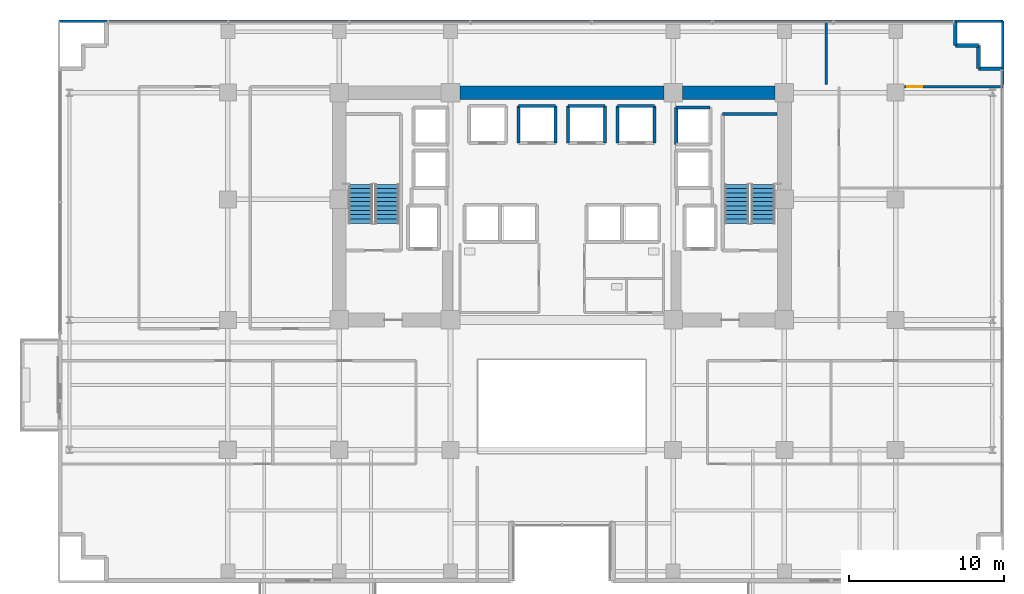
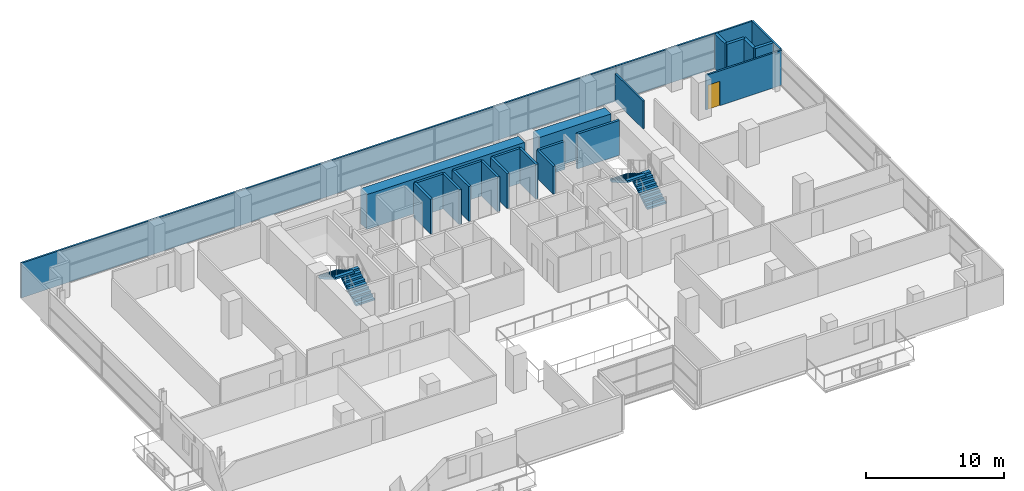
# One storey, part 26 of 30: 23 walls, 4 stair flights, 1 door, 1 opening, 2 elements without a shape of their own.
"""IFC4 building model written with IfcOpenShell, lengths in metres."""

import ifcopenshell
import ifcopenshell.guid

model = None  # the IFC model being written
_history = None  # IfcOwnerHistory: only IFC2X3 demands one
_inside = {}  # id of a spatial element -> (the spatial element, [elements in it])
_under = {}  # id of a project, library or spatial element -> (it, [spatial elements below it])
_declared = {}  # id of a project -> (the project, [libraries it declares])
_typed = {}  # id of a type object -> (the type object, [elements of that type])
_made_of = {}  # id of a material, layer set ... -> (it, [elements and type objects made of it])


def new_model(schema):
    """Start an empty IFC model of exactly this schema.

    Asked for "IFC4X3", IfcOpenShell would pick the latest addendum, in which some entities
    have other attributes; the version numbers below select the first issue.
    IFC2X3 requires an IfcOwnerHistory on every rooted entity: one is made here for all.
    """
    global model, _history
    if schema == "IFC4X3":
        model = ifcopenshell.file(schema_version=(4, 3, 0, 0))
    else:
        model = ifcopenshell.file(schema=schema)
    _inside.clear()
    _under.clear()
    _declared.clear()
    _typed.clear()
    _made_of.clear()
    _history = None
    if model.schema == "IFC2X3":
        org = make("IfcOrganization", Name="unknown")
        user = make(
            "IfcPersonAndOrganization",
            ThePerson=make("IfcPerson", FamilyName="unknown"),
            TheOrganization=org,
        )
        app = make(
            "IfcApplication",
            ApplicationDeveloper=org,
            Version="unknown",
            ApplicationFullName="unknown",
            ApplicationIdentifier="unknown",
        )
        _history = make(
            "IfcOwnerHistory",
            OwningUser=user,
            OwningApplication=app,
            ChangeAction="ADDED",
            CreationDate=0,
        )
    return model


def make(cls, **values):
    """One entity of the class cls with the attributes given. An attribute that is None is left unset."""
    return model.create_entity(
        cls, **{name: value for name, value in values.items() if value is not None}
    )


def rooted(cls, **values):
    """An entity with a GlobalId (a new one), such as an element, a storey or a relation."""
    return make(cls, GlobalId=ifcopenshell.guid.new(), OwnerHistory=_history, **values)


def si_unit(unit_type, name, prefix=None):
    """IfcSIUnit, for example si_unit("LENGTHUNIT", "METRE", prefix="MILLI")."""
    return make("IfcSIUnit", UnitType=unit_type, Prefix=prefix, Name=name)


def assignment(units):
    """IfcUnitAssignment: the units of a project."""
    return None if units is None else make("IfcUnitAssignment", Units=units)


def point(xyz):
    """IfcCartesianPoint."""
    return None if xyz is None else make("IfcCartesianPoint", Coordinates=xyz)


def direction(xyz):
    """IfcDirection."""
    return None if xyz is None else make("IfcDirection", DirectionRatios=xyz)


def frame(location, z_axis=None, x_axis=None):
    """IfcAxis2Placement3D, a coordinate frame: its origin and axes. An axis left out is left unset."""
    return make(
        "IfcAxis2Placement3D",
        Location=point(location),
        Axis=direction(z_axis),
        RefDirection=direction(x_axis),
    )


def frame_2d(location, x_axis=None):
    """IfcAxis2Placement2D, a coordinate frame in the plane: its origin and x axis."""
    return make(
        "IfcAxis2Placement2D", Location=point(location), RefDirection=direction(x_axis)
    )


def origin():
    """The frame at (0, 0, 0) with its axes left unset."""
    return frame((0.0, 0.0, 0.0))


def place(relative_to, where):
    """IfcLocalPlacement: puts the frame where relative to a parent placement (None: the world)."""
    return make(
        "IfcLocalPlacement", PlacementRelTo=relative_to, RelativePlacement=where
    )


def context(
    kind, dimensions, precision=None, world=None, true_north=None, identifier=None
):
    """IfcGeometricRepresentationContext, for example the 3D "Model" context."""
    return make(
        "IfcGeometricRepresentationContext",
        ContextIdentifier=identifier,
        ContextType=kind,
        CoordinateSpaceDimension=dimensions,
        Precision=precision,
        WorldCoordinateSystem=world,
        TrueNorth=true_north,
    )


def subcontext(parent, identifier, kind, view, scale=None):
    """IfcGeometricRepresentationSubContext, for example "Body" below "Model"."""
    return make(
        "IfcGeometricRepresentationSubContext",
        ContextIdentifier=identifier,
        ContextType=kind,
        ParentContext=parent,
        TargetScale=scale,
        TargetView=view,
    )


def project(units=None, contexts=None):
    """IfcProject with its units and contexts."""
    return rooted(
        "IfcProject",
        Name="project",
        RepresentationContexts=contexts,
        UnitsInContext=assignment(units),
    )


def spatial(cls, under=None, at=None, **own):
    """A site, building, storey or space (cls), placed at a placement, below another one or the project."""
    s = rooted(cls, ObjectPlacement=at, **own)
    if under is not None:
        _under.setdefault(under.id(), (under, []))[1].append(s)
    return s


def polyline(points):
    """IfcPolyline through the points."""
    return make("IfcPolyline", Points=[point(p) for p in points])


def profile(cls, at=None, kind="AREA", **sizes):
    """A parametric profile (cls). Its sizes go by their IFC names, for example OverallWidth=200.0."""
    return make(cls, ProfileType=kind, Position=at, **sizes)


def rectangle(**sizes):
    """IfcRectangleProfileDef."""
    return profile("IfcRectangleProfileDef", **sizes)


def outline(outer, holes=None, kind="AREA"):
    """IfcArbitraryClosedProfileDef: a profile drawn as a closed curve; with holes, ...WithVoids."""
    if holes is None:
        return make("IfcArbitraryClosedProfileDef", ProfileType=kind, OuterCurve=outer)
    return make(
        "IfcArbitraryProfileDefWithVoids",
        ProfileType=kind,
        OuterCurve=outer,
        InnerCurves=holes,
    )


def extrude(swept, where, along, depth):
    """IfcExtrudedAreaSolid: the profile swept, set in the frame where, extruded along a direction by depth."""
    return make(
        "IfcExtrudedAreaSolid",
        SweptArea=swept,
        Position=where,
        ExtrudedDirection=direction(along),
        Depth=depth,
    )


def shape(context_of_items, identifier, shape_type, items):
    """IfcShapeRepresentation: the items that make up one representation, for example the "Body"."""
    return make(
        "IfcShapeRepresentation",
        ContextOfItems=context_of_items,
        RepresentationIdentifier=identifier,
        RepresentationType=shape_type,
        Items=items,
    )


def source(mapping_origin, context_of_items, identifier, shape_type, items):
    """IfcRepresentationMap: a shape defined once, which mapped items show again and again."""
    return make(
        "IfcRepresentationMap",
        MappingOrigin=mapping_origin,
        MappedRepresentation=shape(context_of_items, identifier, shape_type, items),
    )


def transform(
    local_origin,
    x_axis=None,
    y_axis=None,
    z_axis=None,
    scale=None,
    scale2=None,
    scale3=None,
    uniform=True,
):
    """IfcCartesianTransformationOperator3D, or its non-uniform kind. x_axis, y_axis, z_axis: its Axis1, 2, 3."""
    if uniform:
        return make(
            "IfcCartesianTransformationOperator3D",
            Axis1=direction(x_axis),
            Axis2=direction(y_axis),
            LocalOrigin=point(local_origin),
            Scale=scale,
            Axis3=direction(z_axis),
        )
    return make(
        "IfcCartesianTransformationOperator3DnonUniform",
        Axis1=direction(x_axis),
        Axis2=direction(y_axis),
        LocalOrigin=point(local_origin),
        Scale=scale,
        Axis3=direction(z_axis),
        Scale2=scale2,
        Scale3=scale3,
    )


def mapped(mapping_source, mapping_target):
    """IfcMappedItem: shows the shape of a source again, moved by a transform."""
    return make(
        "IfcMappedItem", MappingSource=mapping_source, MappingTarget=mapping_target
    )


def material(Name=None, Category=None):
    """IfcMaterial."""
    return make("IfcMaterial", Name=Name, Category=Category)


def layer(
    of_material, thickness, ventilated=None, Name=None, Category=None, Priority=None
):
    """IfcMaterialLayer: one layer of a wall or slab, of a material (None: an air gap)."""
    return make(
        "IfcMaterialLayer",
        Material=of_material,
        LayerThickness=thickness,
        IsVentilated=ventilated,
        Name=Name,
        Category=Category,
        Priority=Priority,
    )


def layer_set(layers, Name=None):
    """IfcMaterialLayerSet."""
    return make("IfcMaterialLayerSet", MaterialLayers=layers, LayerSetName=Name)


def made_of(thing, what):
    """Note that an element or type object is made of a material, layer set ...; save() writes the relation."""
    if what is not None:
        _made_of.setdefault(what.id(), (what, []))[1].append(thing)
    return thing


def type_object(cls, material=None, **own):
    """A type object (cls), such as IfcWallType, which elements share."""
    return made_of(rooted(cls, **own), material)


def element(
    cls,
    number,
    at=None,
    inside=None,
    cuts=None,
    type_object=None,
    material=None,
    context=None,
    identifier="Body",
    shape_type=None,
    held_by="IfcProductDefinitionShape",
    body=None,
    shapes=None,
    **own,
):
    """One element of the class cls, such as IfcWall. Its Tag is "e" and its number.

    at: its placement. inside: the storey or other place that contains it. cuts: it is an
    opening in that element (IfcRelVoidsElement). A single representation is given by context,
    identifier, shape_type and body (its items); several are given by shapes. held_by: the class
    of the entity that holds the representations. save() writes the other relations.
    """
    e = rooted(cls, Tag="e%d" % number, ObjectPlacement=at, **own)
    if body is not None:
        shapes = [shape(context, identifier, shape_type, body)]
    if shapes is not None:
        e.Representation = make(held_by, Representations=shapes)
    if inside is not None:
        _inside.setdefault(inside.id(), (inside, []))[1].append(e)
    if cuts is not None:
        rooted(
            "IfcRelVoidsElement", RelatingBuildingElement=cuts, RelatedOpeningElement=e
        )
    if type_object is not None:
        _typed.setdefault(type_object.id(), (type_object, []))[1].append(e)
    return made_of(e, material)


def fill(opening, filler):
    """IfcRelFillsElement: the door or window that sits in an opening."""
    return rooted(
        "IfcRelFillsElement",
        RelatingOpeningElement=opening,
        RelatedBuildingElement=filler,
    )


def aggregate(whole, parts):
    """IfcRelAggregates: a whole, such as a stair, and the parts it consists of."""
    return rooted("IfcRelAggregates", RelatingObject=whole, RelatedObjects=parts)


def save(model, path):
    """Write the relations noted so far, then the file.

    IfcRelAggregates (storeys below a building ...), IfcRelContainedInSpatialStructure (elements
    in a storey), IfcRelDefinesByType, IfcRelAssociatesMaterial and IfcRelDeclares: one each for
    every whole, place, type object, material and project.
    """
    for whole, parts in _under.values():
        aggregate(whole, parts)
    for where, things in _inside.values():
        rooted(
            "IfcRelContainedInSpatialStructure",
            RelatedElements=things,
            RelatingStructure=where,
        )
    for kind, things in _typed.values():
        rooted("IfcRelDefinesByType", RelatedObjects=things, RelatingType=kind)
    for what, things in _made_of.values():
        rooted("IfcRelAssociatesMaterial", RelatedObjects=things, RelatingMaterial=what)
    for by, libraries in _declared.values():
        rooted("IfcRelDeclares", RelatingContext=by, RelatedDefinitions=libraries)
    model.write(path)


model = new_model("IFC4")

# Units and contexts
model_context = context("Model", 3, precision=1e-05, world=origin(), true_north=direction((0.0, 1.0)))
body_context = subcontext(model_context, "Body", "Model", "MODEL_VIEW")
ifc_project = project(units=[si_unit("LENGTHUNIT", "METRE"), si_unit("AREAUNIT", "SQUARE_METRE"), si_unit("VOLUMEUNIT", "CUBIC_METRE"), si_unit("PLANEANGLEUNIT", "RADIAN"), si_unit("MASSUNIT", "GRAM", prefix="KILO")], contexts=[model_context])

# Site, building, storey
site_placement = place(None, origin())
site = spatial("IfcSite", under=ifc_project, at=site_placement, CompositionType="ELEMENT")
building_placement = place(site_placement, origin())
building = spatial("IfcBuilding", under=site, at=building_placement, Name="Zarnakvel Exchange Tower", CompositionType="ELEMENT")
storey_placement = place(building_placement, frame((0.0, 0.0, 34.0)))
storey = spatial("IfcBuildingStorey", under=building, at=storey_placement, Name="L08", CompositionType="ELEMENT", Elevation=34.0)

# Walls
ifc_material_1 = material(Name="Concrete C80/95", Category="concrete")
ifc_layer_1 = layer(ifc_material_1, 0.89990234375)
ifc_layer_set_1 = layer_set([ifc_layer_1], Name="Concrete C80/95")
wall_type_1 = type_object("IfcWallType", Name="CW-C1", PredefinedType="SHEAR", material=ifc_layer_set_1)
wall_1_placement = place(storey_placement, frame((-6.60009765625, 13.5, 0.0), z_axis=(0.0, 0.0, 1.0), x_axis=(1.0, 0.0, 0.0)))
element("IfcWall", 1, at=wall_1_placement, inside=storey, type_object=wall_type_1, Name="L08 Rear Core Shear Wall N2 (CW-C1)", PredefinedType="SHEAR", context=body_context, shape_type="SweptSolid", body=[
    extrude(rectangle(XDim=13.2001953125, YDim=0.89990234375, at=frame_2d((6.60009765625, 0.0))), origin(), (0.0, 0.0, 1.0), 3.074951171875),
])
wall_2_placement = place(storey_placement, frame((7.800048828125, 13.5, 0.0), z_axis=(0.0, 0.0, 1.0), x_axis=(1.0, 0.0, 0.0)))
element("IfcWall", 2, at=wall_2_placement, inside=storey, type_object=wall_type_1, Name="L08 Rear Core Shear Wall N3 (CW-C1)", PredefinedType="SHEAR", context=body_context, shape_type="SweptSolid", body=[
    extrude(rectangle(XDim=6.0, YDim=0.89990234375, at=frame_2d((3.0, 0.0))), origin(), (0.0, 0.0, 1.0), 3.074951171875),
])
ifc_material_2 = material(Name="Precast concrete C40/50", Category="concrete")
ifc_layer_2 = layer(ifc_material_2, 0.239990234375)
ifc_layer_set_2 = layer_set([ifc_layer_2], Name="Precast concrete C40/50")
wall_type_2 = type_object("IfcWallType", Name="EW-02", PredefinedType="SOLIDWALL", material=ifc_layer_set_2)
for number, where, z_axis, x_axis, name in (
    (3, (25.4599609375, 16.56005859375, 0.0), (0.0, 0.0, 1.0), (0.0, 1.0, 0.0), "L08 Exterior Precast Spandrel Wall EWC-L08-07 (EW-02)"),
    (4, (26.9599609375, 16.56005859375, 0.0), (0.0, 0.0, 1.0), (-1.0, 0.0, 0.0), "L08 Exterior Precast Spandrel Wall EWC-L08-08 (EW-02)"),
    (5, (26.9599609375, 15.06005859375, 0.0), (0.0, 0.0, 1.0), (0.0, 1.0, 0.0), "L08 Exterior Precast Spandrel Wall EWC-L08-09 (EW-02)"),
    (6, (28.4599609375, 15.06005859375, 0.0), (0.0, 0.0, 1.0), (-1.0, 0.0, 0.0), "L08 Exterior Precast Spandrel Wall EWC-L08-10 (EW-02)"),
):
    element("IfcWall", number, at=place(storey_placement, frame(where, z_axis=z_axis, x_axis=x_axis)), inside=storey, type_object=wall_type_2, Name=name, PredefinedType="SOLIDWALL", context=body_context, shape_type="SweptSolid", body=[
        extrude(rectangle(XDim=1.5, YDim=0.239990234375, at=frame_2d((0.75, 0.0))), origin(), (0.0, 0.0, 1.0), 3.074951171875),
    ])

# Wall, opening, door
ifc_material_3 = material(Name="Fire-Rated Gypsum Stud Partition", Category="gypsum")
ifc_layer_3 = layer(ifc_material_3, 0.14990234375)
ifc_layer_set_3 = layer_set([ifc_layer_3], Name="Fire-Rated Gypsum Stud Partition")
wall_type_3 = type_object("IfcWallType", Name="PT-01", PredefinedType="PARTITIONING", material=ifc_layer_set_3)
wall_3_placement = place(storey_placement, frame((22.169921875, 13.8798828125, 0.0), z_axis=(0.0, 0.0, 1.0), x_axis=(1.0, 0.0, 0.0)))
wall_3 = element("IfcWall", 7, at=wall_3_placement, inside=storey, type_object=wall_type_3, Name="L08 Partition Wall PWALL-L08-052 (PT-01)", PredefinedType="PARTITIONING", context=body_context, shape_type="SweptSolid", body=[
    extrude(rectangle(XDim=6.360107421875, YDim=0.14990234375, at=frame_2d((3.18017578125, 0.0))), origin(), (0.0, 0.0, 1.0), 3.074951171875),
])
opening_placement = place(wall_3_placement, frame((0.179931640625, 0.0, 0.0)))
opening = element("IfcOpeningElement", 8, at=opening_placement, cuts=wall_3, Name="Opening D-L08-20", PredefinedType="OPENING", context=body_context, shape_type="SweptSolid", body=[
    extrude(rectangle(XDim=0.97998046875, YDim=2.14990234375, at=frame_2d((0.489990234375, 1.074951171875))), frame((0.0, 0.0849609375, 0.0), z_axis=(0.0, -1.0, 0.0), x_axis=(1.0, 0.0, 0.0)), (0.0, 0.0, 1.0), 0.169921875),
])
ifc_material_4 = material(Name="Timber Acoustic Veneer", Category="wood")
door_type = type_object("IfcDoorType", Name="DT-05", OperationType="NOTDEFINED", PredefinedType="DOOR", material=ifc_material_4)
shared_shape = source(origin(), body_context, "Body", "SweptSolid", [
    extrude(rectangle(XDim=0.97998046875, YDim=2.14990234375, at=frame_2d((0.489990234375, 1.074951171875))), frame((0.0, 0.02490234375, 0.0), z_axis=(0.0, -1.0, 0.0), x_axis=(1.0, 0.0, 0.0)), (0.0, 0.0, 1.0), 0.050048828125),
])
door_placement = place(opening_placement, origin())
door = element("IfcDoor", 9, at=door_placement, inside=storey, type_object=door_type, Name="L08 Reception Lounge Door D-L08-20", OperationType="SINGLE_SWING_RIGHT", OverallHeight=2.14990234375, OverallWidth=0.97998046875, PredefinedType="DOOR", context=body_context, shape_type="MappedRepresentation", body=[
    mapped(shared_shape, transform((0.0, 0.0, 0.0), x_axis=(1.0, 0.0, 0.0), y_axis=(0.0, 1.0, 0.0), z_axis=(0.0, 0.0, 1.0), scale=1.0)),
])
fill(opening, door)

# Walls
wall_4_placement = place(storey_placement, frame((-32.530029296875, 18.1298828125, 0.0), z_axis=(0.0, 0.0, 1.0), x_axis=(1.0, 0.0, 0.0)))
element("IfcWall", 10, at=wall_4_placement, inside=storey, type_object=wall_type_3, Name="L08 Partition Wall PWALL-L08-055 (PT-01)", PredefinedType="PARTITIONING", context=body_context, shape_type="SweptSolid", body=[
    extrude(rectangle(XDim=49.630126953125, YDim=0.14990234375, at=frame_2d((24.81494140625, 0.0))), origin(), (0.0, 0.0, 1.0), 3.074951171875),
])
wall_5_placement = place(storey_placement, frame((17.10009765625, 18.1298828125, 0.0), z_axis=(0.0, 0.0, 1.0), x_axis=(0.0, -1.0, 0.0)))
element("IfcWall", 11, at=wall_5_placement, inside=storey, type_object=wall_type_3, Name="L08 Partition Wall PWALL-L08-057 (PT-01)", PredefinedType="PARTITIONING", context=body_context, shape_type="SweptSolid", body=[
    extrude(rectangle(XDim=4.099853515625, YDim=0.14990234375, at=frame_2d((2.0498046875, 0.0))), origin(), (0.0, 0.0, 1.0), 2.465087890625),
])
wall_6_placement = place(storey_placement, frame((17.10009765625, 18.1298828125, 0.0), z_axis=(0.0, 0.0, 1.0), x_axis=(1.0, 0.0, 0.0)))
element("IfcWall", 12, at=wall_6_placement, inside=storey, type_object=wall_type_3, Name="L08 Partition Wall PWALL-L08-058 (PT-01)", PredefinedType="PARTITIONING", context=body_context, shape_type="SweptSolid", body=[
    extrude(rectangle(XDim=11.429931640625, YDim=0.14990234375, at=frame_2d((5.71484375, 0.0))), origin(), (0.0, 0.0, 1.0), 3.074951171875),
])
wall_7_placement = place(storey_placement, frame((28.530029296875, 18.1298828125, 0.0), z_axis=(0.0, 0.0, 1.0), x_axis=(0.0, -1.0, 0.0)))
element("IfcWall", 13, at=wall_7_placement, inside=storey, type_object=wall_type_3, Name="L08 Partition Wall PWALL-L08-059 (PT-01)", PredefinedType="PARTITIONING", context=body_context, shape_type="SweptSolid", body=[
    extrude(rectangle(XDim=4.099853515625, YDim=0.14990234375, at=frame_2d((2.0498046875, 0.0))), origin(), (0.0, 0.0, 1.0), 3.074951171875),
])
ifc_material_5 = material(Name="Concrete C40/50", Category="concrete")
ifc_layer_4 = layer(ifc_material_5, 0.199951171875)
ifc_layer_set_4 = layer_set([ifc_layer_4], Name="Concrete C40/50")
wall_type_4 = type_object("IfcWallType", Name="SW-01", PredefinedType="SOLIDWALL", material=ifc_layer_set_4)
wall_8_placement = place(storey_placement, frame((-2.800048828125, 12.64990234375, 0.0), z_axis=(0.0, 0.0, 1.0), x_axis=(1.0, 0.0, 0.0)))
element("IfcWall", 14, at=wall_8_placement, inside=storey, type_object=wall_type_4, Name="L08 PL-02 Hoistway Wall North", PredefinedType="SOLIDWALL", context=body_context, shape_type="SweptSolid", body=[
    extrude(rectangle(XDim=2.400146484375, YDim=0.199951171875, at=frame_2d((1.2001953125, 0.0))), origin(), (0.0, 0.0, 1.0), 3.074951171875),
])
for number, where, z_axis, x_axis, name in (
    (15, (-2.800048828125, 10.25, 0.0), (0.0, 0.0, 1.0), (0.0, 1.0, 0.0), "L08 PL-02 Hoistway Wall West"),
    (16, (-0.39990234375, 12.64990234375, 0.0), (0.0, 0.0, 1.0), (0.0, -1.0, 0.0), "L08 PL-02 Hoistway Wall East"),
):
    element("IfcWall", number, at=place(storey_placement, frame(where, z_axis=z_axis, x_axis=x_axis)), inside=storey, type_object=wall_type_4, Name=name, PredefinedType="SOLIDWALL", context=body_context, shape_type="SweptSolid", body=[
        extrude(rectangle(XDim=2.39990234375, YDim=0.199951171875, at=frame_2d((1.199951171875, 0.0))), origin(), (0.0, 0.0, 1.0), 3.074951171875),
    ])
wall_9_placement = place(storey_placement, frame((0.39990234375, 12.64990234375, 0.0), z_axis=(0.0, 0.0, 1.0), x_axis=(1.0, 0.0, 0.0)))
element("IfcWall", 17, at=wall_9_placement, inside=storey, type_object=wall_type_4, Name="L08 PL-03 Hoistway Wall North", PredefinedType="SOLIDWALL", context=body_context, shape_type="SweptSolid", body=[
    extrude(rectangle(XDim=2.400146484375, YDim=0.199951171875, at=frame_2d((1.2001953125, 0.0))), origin(), (0.0, 0.0, 1.0), 3.074951171875),
])
for number, where, z_axis, x_axis, name in (
    (18, (0.39990234375, 10.25, 0.0), (0.0, 0.0, 1.0), (0.0, 1.0, 0.0), "L08 PL-03 Hoistway Wall West"),
    (19, (2.800048828125, 12.64990234375, 0.0), (0.0, 0.0, 1.0), (0.0, -1.0, 0.0), "L08 PL-03 Hoistway Wall East"),
    (20, (3.60009765625, 12.64990234375, 0.0), (0.0, 0.0, 1.0), (1.0, 0.0, 0.0), "L08 PL-04 Hoistway Wall North"),
    (21, (3.60009765625, 10.25, 0.0), (0.0, 0.0, 1.0), (0.0, 1.0, 0.0), "L08 PL-04 Hoistway Wall West"),
    (22, (6.0, 12.64990234375, 0.0), (0.0, 0.0, 1.0), (0.0, -1.0, 0.0), "L08 PL-04 Hoistway Wall East"),
):
    element("IfcWall", number, at=place(storey_placement, frame(where, z_axis=z_axis, x_axis=x_axis)), inside=storey, type_object=wall_type_4, Name=name, PredefinedType="SOLIDWALL", context=body_context, shape_type="SweptSolid", body=[
        extrude(rectangle(XDim=2.39990234375, YDim=0.199951171875, at=frame_2d((1.199951171875, 0.0))), origin(), (0.0, 0.0, 1.0), 3.074951171875),
    ])
wall_10_placement = place(storey_placement, frame((7.39990234375, 12.550048828125, 0.0), z_axis=(0.0, 0.0, 1.0), x_axis=(1.0, 0.0, 0.0)))
element("IfcWall", 23, at=wall_10_placement, inside=storey, type_object=wall_type_4, Name="L08 PL-12 Hoistway Wall North", PredefinedType="SOLIDWALL", context=body_context, shape_type="SweptSolid", body=[
    extrude(rectangle(XDim=2.2001953125, YDim=0.199951171875, at=frame_2d((1.10009765625, 0.0))), origin(), (0.0, 0.0, 1.0), 2.465087890625),
])
wall_11_placement = place(storey_placement, frame((7.39990234375, 10.14990234375, 0.0), z_axis=(0.0, 0.0, 1.0), x_axis=(0.0, 1.0, 0.0)))
element("IfcWall", 24, at=wall_11_placement, inside=storey, type_object=wall_type_4, Name="L08 PL-12 Hoistway Wall West", PredefinedType="SOLIDWALL", context=body_context, shape_type="SweptSolid", body=[
    extrude(rectangle(XDim=2.400146484375, YDim=0.199951171875, at=frame_2d((1.2001953125, 0.0))), origin(), (0.0, 0.0, 1.0), 2.465087890625),
])
ifc_layer_5 = layer(ifc_material_5, 0.199951171875)
ifc_layer_set_5 = layer_set([ifc_layer_5], Name="Concrete C40/50")
wall_type_5 = type_object("IfcWallType", Name="SW-02", PredefinedType="SOLIDWALL", material=ifc_layer_set_5)
wall_12_placement = place(storey_placement, frame((10.409912109375, 12.1298828125, 0.0), z_axis=(0.0, 0.0, 1.0), x_axis=(1.0, 0.0, 0.0)))
element("IfcWall", 25, at=wall_12_placement, inside=storey, type_object=wall_type_5, Name="L08 Stairwell Core Wall PWALL-L08-005 (SW-02)", PredefinedType="SOLIDWALL", context=body_context, shape_type="SweptSolid", body=[
    extrude(rectangle(XDim=3.52001953125, YDim=0.199951171875, at=frame_2d((1.760009765625, 0.0))), origin(), (0.0, 0.0, 1.0), 3.074951171875),
])

# Stair, stair flights
stair_type = type_object("IfcStairType", Name="STR-01", PredefinedType="HALF_TURN_STAIR", material=ifc_material_5)
stair_1_placement = place(storey_placement, origin())
stair_1 = element("IfcStair", 26, at=stair_1_placement, inside=storey, type_object=stair_type, Name="L08 Protected Core Exit Stair ST-01", PredefinedType="HALF_TURN_STAIR")
stair_flight_type = type_object("IfcStairFlightType", Name="FLT-01", PredefinedType="STRAIGHT", material=ifc_material_5)
stair_flight_1_placement = place(storey_placement, frame((-11.31494140625, 5.050048828125, 0.0), z_axis=(0.0, 0.0, 1.0), x_axis=(0.0, 1.0, 0.0)))
stair_flight_1 = element("IfcStairFlight", 27, at=stair_flight_1_placement, type_object=stair_flight_type, Name="ST-01 flight 1", NumberOfRisers=10, NumberOfTreads=9, PredefinedType="STRAIGHT", RiserHeight=0.165, TreadLength=0.28, context=body_context, shape_type="SweptSolid", body=[
    extrude(outline(polyline([(0.0, 0.0), (0.0, 0.1650390625), (0.280029296875, 0.1650390625), (0.280029296875, 0.330078125), (0.56005859375, 0.330078125), (0.56005859375, 0.4951171875), (0.840087890625, 0.4951171875), (0.840087890625, 0.659912109375), (1.1201171875, 0.659912109375), (1.1201171875, 0.824951171875), (1.39990234375, 0.824951171875), (1.39990234375, 0.989990234375), (1.679931640625, 0.989990234375), (1.679931640625, 1.155029296875), (1.9599609375, 1.155029296875), (1.9599609375, 1.320068359375), (2.239990234375, 1.320068359375), (2.239990234375, 1.485107421875), (2.52001953125, 1.485107421875), (2.52001953125, 1.64990234375), (2.52001953125, 1.31103515625), (0.295166015625, 0.0), (0.0, 0.0)])), frame((0.0, 0.77490234375, 0.0), z_axis=(0.0, -1.0, 0.0), x_axis=(1.0, 0.0, 0.0)), (0.0, 0.0, 1.0), 1.550048828125),
])
stair_flight_2_placement = place(storey_placement, frame((-13.02490234375, 7.570068359375, 1.64990234375), z_axis=(0.0, 0.0, 1.0), x_axis=(0.0, -1.0, 0.0)))
stair_flight_2 = element("IfcStairFlight", 28, at=stair_flight_2_placement, type_object=stair_flight_type, Name="ST-01 flight 2", NumberOfRisers=10, NumberOfTreads=9, PredefinedType="STRAIGHT", RiserHeight=0.165, TreadLength=0.28, context=body_context, shape_type="SweptSolid", body=[
    extrude(outline(polyline([(0.0, 0.0), (0.0, 0.1650390625), (0.280029296875, 0.1650390625), (0.280029296875, 0.330078125), (0.56005859375, 0.330078125), (0.56005859375, 0.4951171875), (0.840087890625, 0.4951171875), (0.840087890625, 0.659912109375), (1.1201171875, 0.659912109375), (1.1201171875, 0.824951171875), (1.39990234375, 0.824951171875), (1.39990234375, 0.989990234375), (1.679931640625, 0.989990234375), (1.679931640625, 1.155029296875), (1.9599609375, 1.155029296875), (1.9599609375, 1.320068359375), (2.239990234375, 1.320068359375), (2.239990234375, 1.485107421875), (2.52001953125, 1.485107421875), (2.52001953125, 1.64990234375), (2.52001953125, 1.31103515625), (0.295166015625, 0.0), (0.0, 0.0)])), frame((0.0, 0.77490234375, 0.0), z_axis=(0.0, -1.0, 0.0), x_axis=(1.0, 0.0, 0.0)), (0.0, 0.0, 1.0), 1.550048828125),
])
aggregate(stair_1, [stair_flight_1, stair_flight_2])

stair_2_placement = place(storey_placement, origin())
stair_2 = element("IfcStair", 29, at=stair_2_placement, inside=storey, type_object=stair_type, Name="L08 Protected Core Exit Stair ST-02", PredefinedType="HALF_TURN_STAIR")
stair_flight_3_placement = place(storey_placement, frame((13.02490234375, 5.050048828125, 0.0), z_axis=(0.0, 0.0, 1.0), x_axis=(0.0, 1.0, 0.0)))
stair_flight_3 = element("IfcStairFlight", 30, at=stair_flight_3_placement, type_object=stair_flight_type, Name="ST-02 flight 1", NumberOfRisers=10, NumberOfTreads=9, PredefinedType="STRAIGHT", RiserHeight=0.165, TreadLength=0.28, context=body_context, shape_type="SweptSolid", body=[
    extrude(outline(polyline([(0.0, 0.0), (0.0, 0.1650390625), (0.280029296875, 0.1650390625), (0.280029296875, 0.330078125), (0.56005859375, 0.330078125), (0.56005859375, 0.4951171875), (0.840087890625, 0.4951171875), (0.840087890625, 0.659912109375), (1.1201171875, 0.659912109375), (1.1201171875, 0.824951171875), (1.39990234375, 0.824951171875), (1.39990234375, 0.989990234375), (1.679931640625, 0.989990234375), (1.679931640625, 1.155029296875), (1.9599609375, 1.155029296875), (1.9599609375, 1.320068359375), (2.239990234375, 1.320068359375), (2.239990234375, 1.485107421875), (2.52001953125, 1.485107421875), (2.52001953125, 1.64990234375), (2.52001953125, 1.31103515625), (0.295166015625, 0.0), (0.0, 0.0)])), frame((0.0, 0.77490234375, 0.0), z_axis=(0.0, -1.0, 0.0), x_axis=(1.0, 0.0, 0.0)), (0.0, 0.0, 1.0), 1.550048828125),
])
stair_flight_4_placement = place(storey_placement, frame((11.31494140625, 7.570068359375, 1.64990234375), z_axis=(0.0, 0.0, 1.0), x_axis=(0.0, -1.0, 0.0)))
stair_flight_4 = element("IfcStairFlight", 31, at=stair_flight_4_placement, type_object=stair_flight_type, Name="ST-02 flight 2", NumberOfRisers=10, NumberOfTreads=9, PredefinedType="STRAIGHT", RiserHeight=0.165, TreadLength=0.28, context=body_context, shape_type="SweptSolid", body=[
    extrude(outline(polyline([(0.0, 0.0), (0.0, 0.1650390625), (0.280029296875, 0.1650390625), (0.280029296875, 0.330078125), (0.56005859375, 0.330078125), (0.56005859375, 0.4951171875), (0.840087890625, 0.4951171875), (0.840087890625, 0.659912109375), (1.1201171875, 0.659912109375), (1.1201171875, 0.824951171875), (1.39990234375, 0.824951171875), (1.39990234375, 0.989990234375), (1.679931640625, 0.989990234375), (1.679931640625, 1.155029296875), (1.9599609375, 1.155029296875), (1.9599609375, 1.320068359375), (2.239990234375, 1.320068359375), (2.239990234375, 1.485107421875), (2.52001953125, 1.485107421875), (2.52001953125, 1.64990234375), (2.52001953125, 1.31103515625), (0.295166015625, 0.0), (0.0, 0.0)])), frame((0.0, 0.77490234375, 0.0), z_axis=(0.0, -1.0, 0.0), x_axis=(1.0, 0.0, 0.0)), (0.0, 0.0, 1.0), 1.550048828125),
])
aggregate(stair_2, [stair_flight_3, stair_flight_4])

save(model, "model.ifc")
